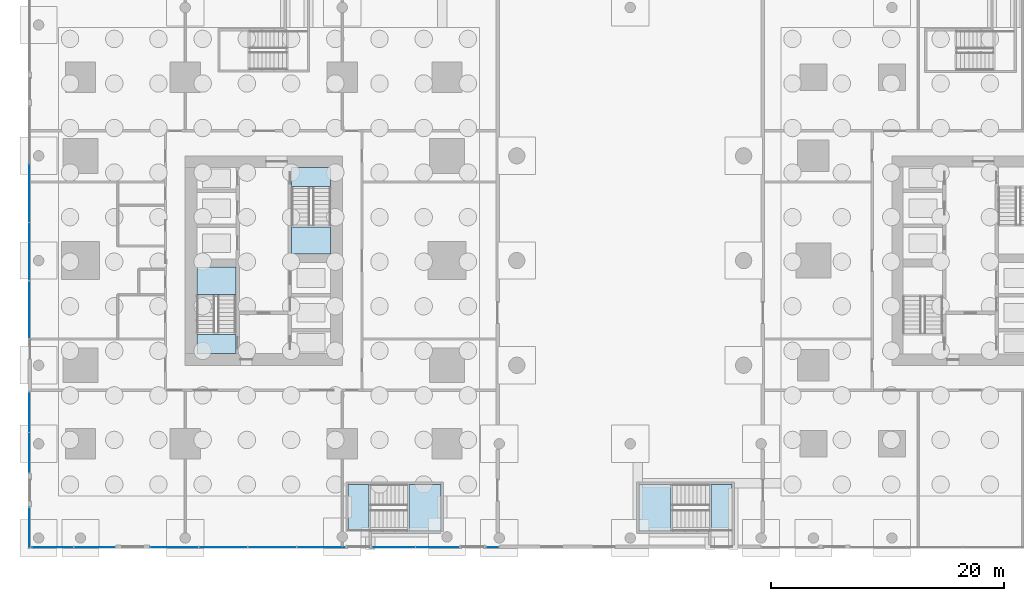
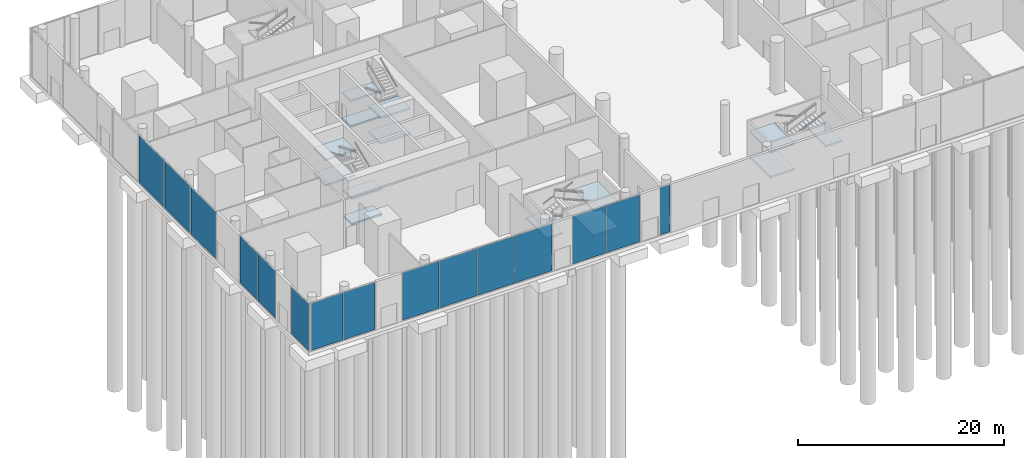
# One storey, part 15 of 31: 15 plates, 14 slabs, 11 elements without a shape of their own.
"""IFC4 building model written with IfcOpenShell, lengths in metres."""

from ifc_helpers import new_model, si_unit, direction, frame, origin, origin_2d, place, context, subcontext, project, spatial, polyline, rectangle, outline, extrude, material, layer, layer_set, type_object, element, aggregate, save


model = new_model("IFC4")

# Units and contexts
model_context = context("Model", 3, precision=1e-05, world=origin(), true_north=direction((0.0, 1.0)))
body_context = subcontext(model_context, "Body", "Model", "MODEL_VIEW")
ifc_project = project(units=[si_unit("LENGTHUNIT", "METRE"), si_unit("AREAUNIT", "SQUARE_METRE"), si_unit("VOLUMEUNIT", "CUBIC_METRE"), si_unit("PLANEANGLEUNIT", "RADIAN"), si_unit("MASSUNIT", "GRAM", prefix="KILO")], contexts=[model_context])

# Site, building, storey
site_placement = place(None, origin())
site = spatial("IfcSite", under=ifc_project, at=site_placement, CompositionType="ELEMENT")
building_placement = place(site_placement, origin())
building = spatial("IfcBuilding", under=site, at=building_placement, Name="Namib Vertical Campus", CompositionType="ELEMENT")
storey_placement = place(building_placement, origin())
storey = spatial("IfcBuildingStorey", under=building, at=storey_placement, Name="L00", CompositionType="ELEMENT", Elevation=0.0)

# Curtain wall, plates
ifc_material_1 = material(Name="Black aluminium curtain wall", Category="aluminium")
ifc_layer_1 = layer(ifc_material_1, 0.199951171875)
ifc_layer_set_1 = layer_set([ifc_layer_1], Name="Entrance curtain wall CW-EN")
curtain_wall_type = type_object("IfcCurtainWallType", Name="Entrance curtain wall CW-EN", PredefinedType="USERDEFINED", material=ifc_layer_set_1)
curtain_wall_1_placement = place(storey_placement, origin())
curtain_wall_1 = element("IfcCurtainWall", 1, at=curtain_wall_1_placement, inside=storey, type_object=curtain_wall_type, Name="Curtain wall CW-EN L00 1-1", ObjectType="CURTAIN WALL", PredefinedType="USERDEFINED")
ifc_material_2 = material(Name="Dark tinted glass", Category="glass")
ifc_layer_2 = layer(ifc_material_2, 0.028076171875)
ifc_layer_set_2 = layer_set([ifc_layer_2], Name="Dark solar glass panel 28")
plate_type = type_object("IfcPlateType", Name="Dark solar glass panel 28", PredefinedType="CURTAIN_PANEL", material=ifc_layer_set_2)
plate_1_placement = place(storey_placement, frame((2.12744140625, -4.39990234375, 0.06005859375), z_axis=(0.0, 0.0, 1.0), x_axis=(1.0, 0.0, 0.0)))
plate_1 = element("IfcPlate", 2, at=plate_1_placement, type_object=plate_type, Name="CW-EN panel 1.1", PredefinedType="CURTAIN_PANEL", context=body_context, shape_type="SweptSolid", body=[
    extrude(rectangle(XDim=3.534912109375, YDim=0.028076171875, at=origin_2d()), origin(), (0.0, 0.0, 1.0), 5.580078125),
])
plate_2_placement = place(storey_placement, frame((5.722412109375, -4.39990234375, 0.06005859375), z_axis=(0.0, 0.0, 1.0), x_axis=(1.0, 0.0, 0.0)))
plate_2 = element("IfcPlate", 3, at=plate_2_placement, type_object=plate_type, Name="CW-EN panel 2.1", PredefinedType="CURTAIN_PANEL", context=body_context, shape_type="SweptSolid", body=[
    extrude(rectangle(XDim=3.534912109375, YDim=0.028076171875, at=origin_2d()), origin(), (0.0, 0.0, 1.0), 5.580078125),
])
aggregate(curtain_wall_1, [plate_1, plate_2])

curtain_wall_2_placement = place(storey_placement, origin())
curtain_wall_2 = element("IfcCurtainWall", 4, at=curtain_wall_2_placement, inside=storey, type_object=curtain_wall_type, Name="Curtain wall CW-EN L00 3-1", ObjectType="CURTAIN WALL", PredefinedType="USERDEFINED")
plate_3_placement = place(storey_placement, frame((12.5712890625, -4.39990234375, 0.06005859375), z_axis=(0.0, 0.0, 1.0), x_axis=(1.0, 0.0, 0.0)))
plate_3 = element("IfcPlate", 5, at=plate_3_placement, type_object=plate_type, Name="CW-EN panel 1.1", PredefinedType="CURTAIN_PANEL", context=body_context, shape_type="SweptSolid", body=[
    extrude(rectangle(XDim=4.12255859375, YDim=0.028076171875, at=origin_2d()), origin(), (0.0, 0.0, 1.0), 5.580078125),
])
plate_4_placement = place(storey_placement, frame((16.768798828125, -4.39990234375, 0.06005859375), z_axis=(0.0, 0.0, 1.0), x_axis=(1.0, 0.0, 0.0)))
plate_4 = element("IfcPlate", 6, at=plate_4_placement, type_object=plate_type, Name="CW-EN panel 2.1", PredefinedType="CURTAIN_PANEL", context=body_context, shape_type="SweptSolid", body=[
    extrude(rectangle(XDim=4.152587890625, YDim=0.028076171875, at=origin_2d()), origin(), (0.0, 0.0, 1.0), 5.580078125),
])
plate_5_placement = place(storey_placement, frame((20.981201171875, -4.39990234375, 0.06005859375), z_axis=(0.0, 0.0, 1.0), x_axis=(1.0, 0.0, 0.0)))
plate_5 = element("IfcPlate", 7, at=plate_5_placement, type_object=plate_type, Name="CW-EN panel 3.1", PredefinedType="CURTAIN_PANEL", context=body_context, shape_type="SweptSolid", body=[
    extrude(rectangle(XDim=4.152587890625, YDim=0.028076171875, at=origin_2d()), origin(), (0.0, 0.0, 1.0), 5.580078125),
])
plate_6_placement = place(storey_placement, frame((25.1787109375, -4.39990234375, 0.06005859375), z_axis=(0.0, 0.0, 1.0), x_axis=(1.0, 0.0, 0.0)))
plate_6 = element("IfcPlate", 8, at=plate_6_placement, type_object=plate_type, Name="CW-EN panel 4.1", PredefinedType="CURTAIN_PANEL", context=body_context, shape_type="SweptSolid", body=[
    extrude(rectangle(XDim=4.12255859375, YDim=0.028076171875, at=origin_2d()), origin(), (0.0, 0.0, 1.0), 5.580078125),
])
aggregate(curtain_wall_2, [plate_3, plate_4, plate_5, plate_6])

curtain_wall_3_placement = place(storey_placement, origin())
curtain_wall_3 = element("IfcCurtainWall", 9, at=curtain_wall_3_placement, inside=storey, type_object=curtain_wall_type, Name="Curtain wall CW-EN L00 5-1", ObjectType="CURTAIN WALL", PredefinedType="USERDEFINED")
plate_7_placement = place(storey_placement, frame((31.4150390625, -4.39990234375, 0.06005859375), z_axis=(0.0, 0.0, 1.0), x_axis=(1.0, 0.0, 0.0)))
plate_7 = element("IfcPlate", 10, at=plate_7_placement, type_object=plate_type, Name="CW-EN panel 1.1", PredefinedType="CURTAIN_PANEL", context=body_context, shape_type="SweptSolid", body=[
    extrude(rectangle(XDim=3.7099609375, YDim=0.028076171875, at=origin_2d()), origin(), (0.0, 0.0, 1.0), 5.580078125),
])
plate_8_placement = place(storey_placement, frame((35.18505859375, -4.39990234375, 0.06005859375), z_axis=(0.0, 0.0, 1.0), x_axis=(1.0, 0.0, 0.0)))
plate_8 = element("IfcPlate", 11, at=plate_8_placement, type_object=plate_type, Name="CW-EN panel 2.1", PredefinedType="CURTAIN_PANEL", context=body_context, shape_type="SweptSolid", body=[
    extrude(rectangle(XDim=3.7099609375, YDim=0.028076171875, at=origin_2d()), origin(), (0.0, 0.0, 1.0), 5.580078125),
])
aggregate(curtain_wall_3, [plate_7, plate_8])

# Curtain wall, plate
curtain_wall_4_placement = place(storey_placement, origin())
curtain_wall_4 = element("IfcCurtainWall", 12, at=curtain_wall_4_placement, inside=storey, type_object=curtain_wall_type, Name="Curtain wall CW-EN L00 7-1", ObjectType="CURTAIN WALL", PredefinedType="USERDEFINED")
plate_9_placement = place(storey_placement, frame((39.89990234375, -4.39990234375, 0.06005859375), z_axis=(0.0, 0.0, 1.0), x_axis=(1.0, 0.0, 0.0)))
plate_9 = element("IfcPlate", 13, at=plate_9_placement, type_object=plate_type, Name="CW-EN panel 1.1", PredefinedType="CURTAIN_PANEL", context=body_context, shape_type="SweptSolid", body=[
    extrude(rectangle(XDim=1.080078125, YDim=0.028076171875, at=origin_2d()), origin(), (0.0, 0.0, 1.0), 5.580078125),
])
aggregate(curtain_wall_4, [plate_9])

curtain_wall_5_placement = place(storey_placement, origin())
curtain_wall_5 = element("IfcCurtainWall", 14, at=curtain_wall_5_placement, inside=storey, type_object=curtain_wall_type, Name="Curtain wall CW-EN L00 1-1", ObjectType="CURTAIN WALL", PredefinedType="USERDEFINED")
plate_10_placement = place(storey_placement, frame((0.10009765625, -2.72509765625, 0.06005859375), z_axis=(0.0, 0.0, 1.0), x_axis=(0.0, -1.0, 0.0)))
plate_10 = element("IfcPlate", 15, at=plate_10_placement, type_object=plate_type, Name="CW-EN panel 1.1", PredefinedType="CURTAIN_PANEL", context=body_context, shape_type="SweptSolid", body=[
    extrude(rectangle(XDim=3.429931640625, YDim=0.028076171875, at=origin_2d()), origin(), (0.0, 0.0, 1.0), 5.580078125),
])
aggregate(curtain_wall_5, [plate_10])

# Curtain wall, plates
curtain_wall_6_placement = place(storey_placement, origin())
curtain_wall_6 = element("IfcCurtainWall", 16, at=curtain_wall_6_placement, inside=storey, type_object=curtain_wall_type, Name="Curtain wall CW-EN L00 3-1", ObjectType="CURTAIN WALL", PredefinedType="USERDEFINED")
plate_11_placement = place(storey_placement, frame((0.10009765625, 7.222412109375, 0.06005859375), z_axis=(0.0, 0.0, 1.0), x_axis=(0.0, -1.0, 0.0)))
plate_11 = element("IfcPlate", 17, at=plate_11_placement, type_object=plate_type, Name="CW-EN panel 1.1", PredefinedType="CURTAIN_PANEL", context=body_context, shape_type="SweptSolid", body=[
    extrude(rectangle(XDim=3.43505859375, YDim=0.028076171875, at=origin_2d()), origin(), (0.0, 0.0, 1.0), 5.580078125),
])
plate_12_placement = place(storey_placement, frame((0.10009765625, 3.7275390625, 0.06005859375), z_axis=(0.0, 0.0, 1.0), x_axis=(0.0, -1.0, 0.0)))
plate_12 = element("IfcPlate", 18, at=plate_12_placement, type_object=plate_type, Name="CW-EN panel 2.1", PredefinedType="CURTAIN_PANEL", context=body_context, shape_type="SweptSolid", body=[
    extrude(rectangle(XDim=3.43505859375, YDim=0.028076171875, at=origin_2d()), origin(), (0.0, 0.0, 1.0), 5.580078125),
])
aggregate(curtain_wall_6, [plate_11, plate_12])

curtain_wall_7_placement = place(storey_placement, origin())
curtain_wall_7 = element("IfcCurtainWall", 19, at=curtain_wall_7_placement, inside=storey, type_object=curtain_wall_type, Name="Curtain wall CW-EN L00 5-1", ObjectType="CURTAIN WALL", PredefinedType="USERDEFINED")
plate_13_placement = place(storey_placement, frame((0.10009765625, 26.03125, 0.06005859375), z_axis=(0.0, 0.0, 1.0), x_axis=(0.0, -1.0, 0.0)))
plate_13 = element("IfcPlate", 20, at=plate_13_placement, type_object=plate_type, Name="CW-EN panel 2.1", PredefinedType="CURTAIN_PANEL", context=body_context, shape_type="SweptSolid", body=[
    extrude(rectangle(XDim=4.952392578125, YDim=0.028076171875, at=origin_2d()), origin(), (0.0, 0.0, 1.0), 5.580078125),
])
plate_14_placement = place(storey_placement, frame((0.10009765625, 21.018798828125, 0.06005859375), z_axis=(0.0, 0.0, 1.0), x_axis=(0.0, -1.0, 0.0)))
plate_14 = element("IfcPlate", 21, at=plate_14_placement, type_object=plate_type, Name="CW-EN panel 3.1", PredefinedType="CURTAIN_PANEL", context=body_context, shape_type="SweptSolid", body=[
    extrude(rectangle(XDim=4.952392578125, YDim=0.028076171875, at=origin_2d()), origin(), (0.0, 0.0, 1.0), 5.580078125),
])
plate_15_placement = place(storey_placement, frame((0.10009765625, 16.021240234375, 0.06005859375), z_axis=(0.0, 0.0, 1.0), x_axis=(0.0, -1.0, 0.0)))
plate_15 = element("IfcPlate", 22, at=plate_15_placement, type_object=plate_type, Name="CW-EN panel 4.1", PredefinedType="CURTAIN_PANEL", context=body_context, shape_type="SweptSolid", body=[
    extrude(rectangle(XDim=4.922607421875, YDim=0.028076171875, at=origin_2d()), origin(), (0.0, 0.0, 1.0), 5.580078125),
])
aggregate(curtain_wall_7, [plate_13, plate_14, plate_15])

# Stair, slabs
ifc_material_3 = material(Name="Concrete C40/50 precast", Category="concrete")
stair_type_1 = type_object("IfcStairType", Name="Exit stair 6000 rise 40 risers 3350 wide", PredefinedType="HALF_TURN_STAIR", material=ifc_material_3)
stair_1_placement = place(storey_placement, origin())
stair_1 = element("IfcStair", 23, at=stair_1_placement, inside=storey, type_object=stair_type_1, Name="Exit stair A-S1 L00", PredefinedType="HALF_TURN_STAIR")
ifc_material_4 = material(Name="Concrete C40/50", Category="concrete")
ifc_layer_3 = layer(ifc_material_4, 0.199951171875)
ifc_layer_set_3 = layer_set([ifc_layer_3], Name="Concrete C40/50")
slab_type = type_object("IfcSlabType", Name="Stair landing 200", PredefinedType="LANDING", material=ifc_layer_set_3)
slab_1_placement = place(storey_placement, frame((0.0, 0.0, -0.199951171875)))
slab_1 = element("IfcSlab", 24, at=slab_1_placement, type_object=slab_type, Name="A-S1 landing 1", PredefinedType="LANDING", context=body_context, shape_type="SweptSolid", body=[
    extrude(outline(polyline([(14.5, 12.25), (17.85009765625, 12.25), (17.85009765625, 13.90380859375), (14.5, 13.90380859375), (14.5, 12.25)])), origin(), (0.0, 0.0, 1.0), 0.199951171875),
])
slab_2_placement = place(storey_placement, frame((0.0, 0.0, 1.300048828125)))
slab_2 = element("IfcSlab", 25, at=slab_2_placement, type_object=slab_type, Name="A-S1 landing 2", PredefinedType="LANDING", context=body_context, shape_type="SweptSolid", body=[
    extrude(outline(polyline([(14.5, 17.34619140625), (17.85009765625, 17.34619140625), (17.85009765625, 19.699951171875), (14.5, 19.699951171875), (14.5, 17.34619140625)])), origin(), (0.0, 0.0, 1.0), 0.199951171875),
])
slab_3_placement = place(storey_placement, frame((0.0, 0.0, 2.800048828125)))
slab_3 = element("IfcSlab", 26, at=slab_3_placement, type_object=slab_type, Name="A-S1 landing 3", PredefinedType="LANDING", context=body_context, shape_type="SweptSolid", body=[
    extrude(outline(polyline([(14.5, 12.25), (17.85009765625, 12.25), (17.85009765625, 13.90380859375), (14.5, 13.90380859375), (14.5, 12.25)])), origin(), (0.0, 0.0, 1.0), 0.199951171875),
])
slab_4_placement = place(storey_placement, frame((0.0, 0.0, 4.300048828125)))
slab_4 = element("IfcSlab", 27, at=slab_4_placement, type_object=slab_type, Name="A-S1 landing 4", PredefinedType="LANDING", context=body_context, shape_type="SweptSolid", body=[
    extrude(outline(polyline([(14.5, 17.34619140625), (17.85009765625, 17.34619140625), (17.85009765625, 19.699951171875), (14.5, 19.699951171875), (14.5, 17.34619140625)])), origin(), (0.0, 0.0, 1.0), 0.199951171875),
])
aggregate(stair_1, [slab_1, slab_2, slab_3, slab_4])

stair_2_placement = place(storey_placement, origin())
stair_2 = element("IfcStair", 28, at=stair_2_placement, inside=storey, type_object=stair_type_1, Name="Exit stair A-S2 L00", PredefinedType="HALF_TURN_STAIR")
slab_5_placement = place(storey_placement, frame((0.0, 0.0, -0.199951171875)))
slab_5 = element("IfcSlab", 29, at=slab_5_placement, type_object=slab_type, Name="A-S2 landing 1", PredefinedType="LANDING", context=body_context, shape_type="SweptSolid", body=[
    extrude(outline(polyline([(22.64990234375, 26.59619140625), (26.0, 26.59619140625), (26.0, 28.25), (22.64990234375, 28.25), (22.64990234375, 26.59619140625)])), origin(), (0.0, 0.0, 1.0), 0.199951171875),
])
slab_6_placement = place(storey_placement, frame((0.0, 0.0, 1.300048828125)))
slab_6 = element("IfcSlab", 30, at=slab_6_placement, type_object=slab_type, Name="A-S2 landing 2", PredefinedType="LANDING", context=body_context, shape_type="SweptSolid", body=[
    extrude(outline(polyline([(22.64990234375, 20.800048828125), (26.0, 20.800048828125), (26.0, 23.15380859375), (22.64990234375, 23.15380859375), (22.64990234375, 20.800048828125)])), origin(), (0.0, 0.0, 1.0), 0.199951171875),
])
slab_7_placement = place(storey_placement, frame((0.0, 0.0, 2.800048828125)))
slab_7 = element("IfcSlab", 31, at=slab_7_placement, type_object=slab_type, Name="A-S2 landing 3", PredefinedType="LANDING", context=body_context, shape_type="SweptSolid", body=[
    extrude(outline(polyline([(22.64990234375, 26.59619140625), (26.0, 26.59619140625), (26.0, 28.25), (22.64990234375, 28.25), (22.64990234375, 26.59619140625)])), origin(), (0.0, 0.0, 1.0), 0.199951171875),
])
slab_8_placement = place(storey_placement, frame((0.0, 0.0, 4.300048828125)))
slab_8 = element("IfcSlab", 32, at=slab_8_placement, type_object=slab_type, Name="A-S2 landing 4", PredefinedType="LANDING", context=body_context, shape_type="SweptSolid", body=[
    extrude(outline(polyline([(22.64990234375, 20.800048828125), (26.0, 20.800048828125), (26.0, 23.15380859375), (22.64990234375, 23.15380859375), (22.64990234375, 20.800048828125)])), origin(), (0.0, 0.0, 1.0), 0.199951171875),
])
aggregate(stair_2, [slab_5, slab_6, slab_7, slab_8])

ifc_material_5 = material(Name="Concrete C40/50 precast", Category="concrete")
stair_type_2 = type_object("IfcStairType", Name="Podium exit stair 6000 rise 40 risers 1800 flights", PredefinedType="HALF_TURN_STAIR", material=ifc_material_5)
stair_3_placement = place(storey_placement, origin())
stair_3 = element("IfcStair", 33, at=stair_3_placement, inside=storey, type_object=stair_type_2, Name="Exit stair P-S2 L00", PredefinedType="HALF_TURN_STAIR")
slab_9_placement = place(storey_placement, frame((0.0, 0.0, 1.300048828125)))
slab_9 = element("IfcSlab", 34, at=slab_9_placement, type_object=slab_type, Name="P-S2 landing 1", PredefinedType="LANDING", context=body_context, shape_type="SweptSolid", body=[
    extrude(outline(polyline([(32.7421875, -3.0), (32.7421875, 1.0), (35.5, 1.0), (35.5, -3.0), (32.7421875, -3.0)])), origin(), (0.0, 0.0, 1.0), 0.199951171875),
])
slab_10_placement = place(storey_placement, frame((0.0, 0.0, 2.800048828125)))
slab_10 = element("IfcSlab", 35, at=slab_10_placement, type_object=slab_type, Name="P-S2 landing 2", PredefinedType="LANDING", context=body_context, shape_type="SweptSolid", body=[
    extrude(outline(polyline([(27.5, -3.0), (27.5, 1.0), (29.300048828125, 1.0), (29.300048828125, -3.0), (27.5, -3.0)])), origin(), (0.0, 0.0, 1.0), 0.199951171875),
])
slab_11_placement = place(storey_placement, frame((0.0, 0.0, 4.300048828125)))
slab_11 = element("IfcSlab", 36, at=slab_11_placement, type_object=slab_type, Name="P-S2 landing 3", PredefinedType="LANDING", context=body_context, shape_type="SweptSolid", body=[
    extrude(outline(polyline([(32.7421875, -3.0), (32.7421875, 1.0), (35.5, 1.0), (35.5, -3.0), (32.7421875, -3.0)])), origin(), (0.0, 0.0, 1.0), 0.199951171875),
])
aggregate(stair_3, [slab_9, slab_10, slab_11])

stair_4_placement = place(storey_placement, origin())
stair_4 = element("IfcStair", 37, at=stair_4_placement, inside=storey, type_object=stair_type_2, Name="Exit stair P-S4 L00", PredefinedType="HALF_TURN_STAIR")
slab_12_placement = place(storey_placement, frame((0.0, 0.0, 1.300048828125)))
slab_12 = element("IfcSlab", 38, at=slab_12_placement, type_object=slab_type, Name="P-S4 landing 1", PredefinedType="LANDING", context=body_context, shape_type="SweptSolid", body=[
    extrude(outline(polyline([(52.5, -3.0), (52.5, 1.0), (55.2578125, 1.0), (55.2578125, -3.0), (52.5, -3.0)])), origin(), (0.0, 0.0, 1.0), 0.199951171875),
])
slab_13_placement = place(storey_placement, frame((0.0, 0.0, 2.800048828125)))
slab_13 = element("IfcSlab", 39, at=slab_13_placement, type_object=slab_type, Name="P-S4 landing 2", PredefinedType="LANDING", context=body_context, shape_type="SweptSolid", body=[
    extrude(outline(polyline([(58.699951171875, -3.0), (58.699951171875, 1.0), (60.5, 1.0), (60.5, -3.0), (58.699951171875, -3.0)])), origin(), (0.0, 0.0, 1.0), 0.199951171875),
])
slab_14_placement = place(storey_placement, frame((0.0, 0.0, 4.300048828125)))
slab_14 = element("IfcSlab", 40, at=slab_14_placement, type_object=slab_type, Name="P-S4 landing 3", PredefinedType="LANDING", context=body_context, shape_type="SweptSolid", body=[
    extrude(outline(polyline([(52.5, -3.0), (52.5, 1.0), (55.2578125, 1.0), (55.2578125, -3.0), (52.5, -3.0)])), origin(), (0.0, 0.0, 1.0), 0.199951171875),
])
aggregate(stair_4, [slab_12, slab_13, slab_14])

save(model, "model.ifc")
